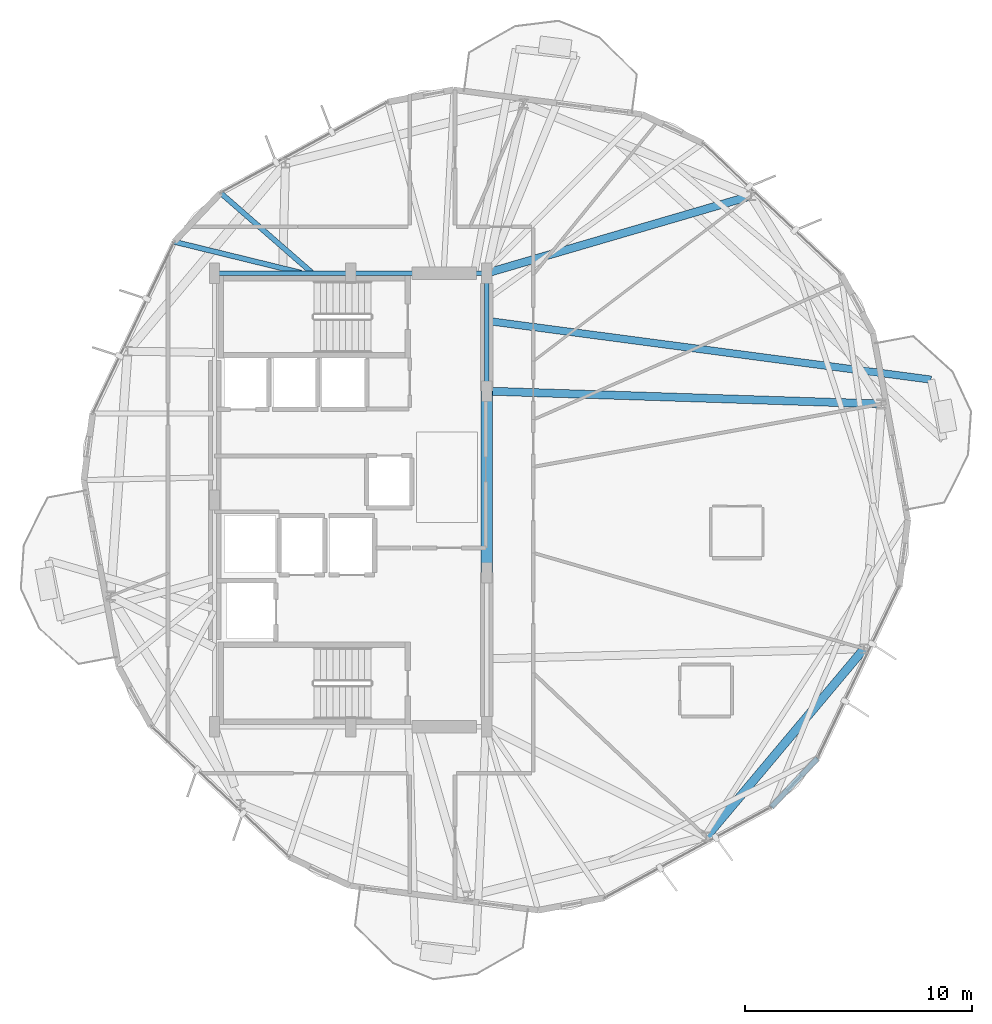
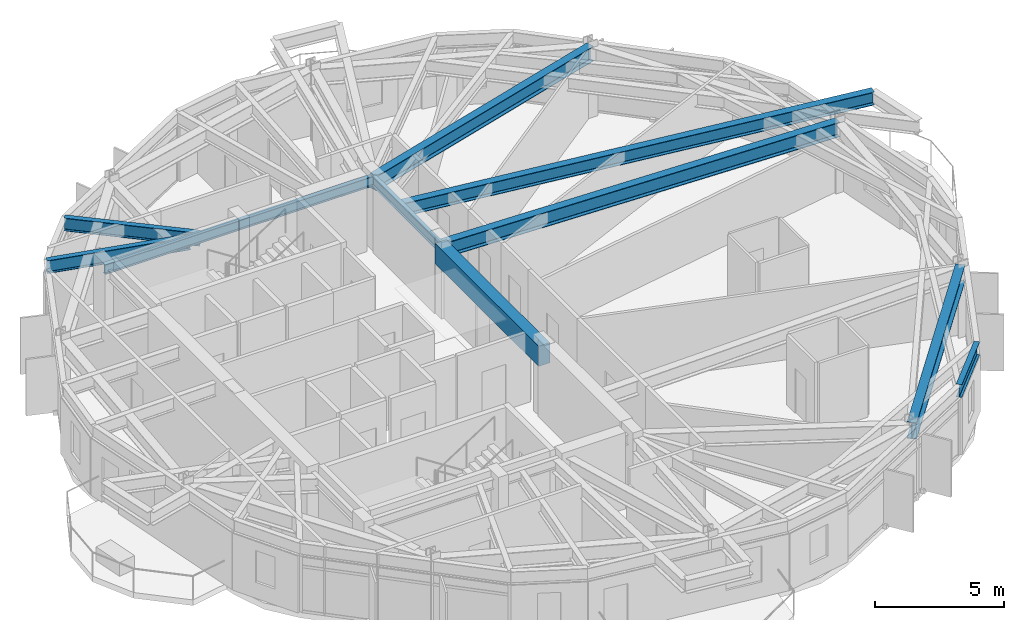
# One storey, part 9 of 23: 11 beams.
"""IFC4 building model written with IfcOpenShell, lengths in metres."""

from ifc_helpers import new_model, si_unit, direction, frame, origin, origin_2d, place, context, subcontext, project, spatial, rectangle, i_section, extrude, material, material_profile, profile_set, type_object, element, save


model = new_model("IFC4")

# Units and contexts
model_context = context("Model", 3, precision=1e-05, world=origin(), true_north=direction((0.0, 1.0)))
body_context = subcontext(model_context, "Body", "Model", "MODEL_VIEW")
ifc_project = project(units=[si_unit("LENGTHUNIT", "METRE"), si_unit("AREAUNIT", "SQUARE_METRE"), si_unit("VOLUMEUNIT", "CUBIC_METRE"), si_unit("PLANEANGLEUNIT", "RADIAN"), si_unit("MASSUNIT", "GRAM", prefix="KILO")], contexts=[model_context])

# Site, building, storey
site_placement = place(None, origin())
site = spatial("IfcSite", under=ifc_project, at=site_placement, CompositionType="ELEMENT")
building_placement = place(site_placement, origin())
building = spatial("IfcBuilding", under=site, at=building_placement, Name="Soratama Intermodal Tower", CompositionType="ELEMENT")
storey_placement = place(building_placement, frame((0.0, 0.0, 139.0)))
storey = spatial("IfcBuildingStorey", under=building, at=storey_placement, Name="L33", CompositionType="ELEMENT", Elevation=139.0)

# Beams
ifc_material_1 = material(Name="Structural steel ASTM A992 Grade 50", Category="steel")
ifc_material_profile_1 = material_profile(ifc_material_1, i_section(OverallWidth=0.324951171875, OverallDepth=0.615966796875, WebThickness=0.013916015625, FlangeThickness=0.021484375, FilletRadius=0.013916015625, at=origin_2d()), Name="W24X117")
ifc_profile_set_1 = profile_set([ifc_material_profile_1], Name="Structural steel ASTM A992 Grade 50")
beam_type_1 = type_object("IfcBeamType", Name="BM-CANT-W24X117", PredefinedType="BEAM", material=ifc_profile_set_1)
beam_1_placement = place(storey_placement, frame((44.639892578125, 32.889892578125, 2.991943359375), z_axis=(0.991352964845, -0.131222326964, 0.0), x_axis=(0.131222326964, 0.991352964845, 0.0)))
element("IfcBeam", 1, at=beam_1_placement, inside=storey, type_object=beam_type_1, Name="BM-L33-CANT-1-2", PredefinedType="BEAM", context=body_context, shape_type="SweptSolid", body=[
    extrude(i_section(OverallWidth=0.324951171875, OverallDepth=0.615966796875, WebThickness=0.013916015625, FlangeThickness=0.021484375, FilletRadius=0.013916015625, at=origin_2d()), origin(), (0.0, 0.0, 1.0), 19.70654296875),
])
ifc_material_2 = material(Name="Concrete f'c 56 MPa", Category="concrete")
ifc_material_profile_2 = material_profile(ifc_material_2, rectangle(XDim=0.5, YDim=0.949951171875, at=origin_2d()), Name="RC500X950")
ifc_profile_set_2 = profile_set([ifc_material_profile_2], Name="Concrete f'c 56 MPa")
beam_type_2 = type_object("IfcBeamType", Name="BM-CPL-RC500X950", PredefinedType="BEAM", material=ifc_profile_set_2)
beam_2_placement = place(storey_placement, frame((44.60009765625, 21.800048828125, 2.824951171875), z_axis=(0.0, 1.0, 0.0), x_axis=(-1.0, 0.0, 0.0)))
element("IfcBeam", 2, at=beam_2_placement, inside=storey, type_object=beam_type_2, Name="L33 Core Coupling Beam East", PredefinedType="BEAM", context=body_context, shape_type="SweptSolid", body=[
    extrude(rectangle(XDim=0.5, YDim=0.949951171875, at=origin_2d()), origin(), (0.0, 0.0, 1.0), 8.0),
])
ifc_material_3 = material(Name="Structural steel ASTM A992 Grade 50", Category="steel")
ifc_material_profile_3 = material_profile(ifc_material_3, i_section(OverallWidth=0.19091796875, OverallDepth=0.4599609375, WebThickness=0.010009765625, FlangeThickness=0.01611328125, FilletRadius=0.010986328125, at=origin_2d()), Name="W18X55")
ifc_profile_set_3 = profile_set([ifc_material_profile_3], Name="Structural steel ASTM A992 Grade 50")
beam_type_3 = type_object("IfcBeamType", Name="BM-FLR-W18X55", PredefinedType="BEAM", material=ifc_profile_set_3)
beam_3_placement = place(storey_placement, frame((44.60009765625, 29.800048828125, 3.070068359375), z_axis=(0.0, 1.0, 0.0), x_axis=(-1.0, 0.0, 0.0)))
element("IfcBeam", 3, at=beam_3_placement, inside=storey, type_object=beam_type_3, Name="BM-L33-CRING-05", PredefinedType="BEAM", context=body_context, shape_type="SweptSolid", body=[
    extrude(i_section(OverallWidth=0.19091796875, OverallDepth=0.4599609375, WebThickness=0.010009765625, FlangeThickness=0.01611328125, FilletRadius=0.010986328125, at=origin_2d()), origin(), (0.0, 0.0, 1.0), 5.199951171875),
])
for number, where, z_axis, x_axis, name in (
    (4, (44.60009765625, 35.0, 3.070068359375), (-1.0, 0.0, 0.0), (0.0, -1.0, 0.0), "BM-L33-CRING-06"),
    (5, (38.60009765625, 35.0, 3.070068359375), (-1.0, 0.0, 0.0), (0.0, -1.0, 0.0), "BM-L33-CRING-07"),
):
    element("IfcBeam", number, at=place(storey_placement, frame(where, z_axis=z_axis, x_axis=x_axis)), inside=storey, type_object=beam_type_3, Name=name, PredefinedType="BEAM", context=body_context, shape_type="SweptSolid", body=[
        extrude(i_section(OverallWidth=0.19091796875, OverallDepth=0.4599609375, WebThickness=0.010009765625, FlangeThickness=0.01611328125, FilletRadius=0.010986328125, at=origin_2d()), origin(), (0.0, 0.0, 1.0), 6.0),
    ])
ifc_material_4 = material(Name="Structural steel ASTM A992 Grade 50", Category="steel")
ifc_material_profile_4 = material_profile(ifc_material_4, i_section(OverallWidth=0.35498046875, OverallDepth=0.695068359375, WebThickness=0.015380859375, FlangeThickness=0.02490234375, FilletRadius=0.01611328125, at=origin_2d()), Name="W27X146")
ifc_profile_set_4 = profile_set([ifc_material_profile_4], Name="Structural steel ASTM A992 Grade 50")
beam_type_4 = type_object("IfcBeamType", Name="BM-RING-W27X146", PredefinedType="BEAM", material=ifc_profile_set_4)
beam_4_placement = place(storey_placement, frame((44.60009765625, 29.800048828125, 2.952392578125), z_axis=(0.999469833309, -0.032558444449, 0.0), x_axis=(0.032558444449, 0.999469833309, 0.0)))
element("IfcBeam", 6, at=beam_4_placement, inside=storey, type_object=beam_type_4, Name="BM-L33-RAD-01", PredefinedType="BEAM", context=body_context, shape_type="SweptSolid", body=[
    extrude(i_section(OverallWidth=0.35498046875, OverallDepth=0.695068359375, WebThickness=0.015380859375, FlangeThickness=0.02490234375, FilletRadius=0.01611328125, at=origin_2d()), origin(), (0.0, 0.0, 1.0), 17.38916015625),
])
beam_5_placement = place(storey_placement, frame((44.60009765625, 35.0, 2.952392578125), z_axis=(0.959813691047, 0.280637984738, 0.0), x_axis=(-0.280637984738, 0.959813691047, 0.0)))
element("IfcBeam", 7, at=beam_5_placement, inside=storey, type_object=beam_type_4, Name="BM-L33-RAD-02", PredefinedType="BEAM", context=body_context, shape_type="SweptSolid", body=[
    extrude(i_section(OverallWidth=0.35498046875, OverallDepth=0.695068359375, WebThickness=0.015380859375, FlangeThickness=0.02490234375, FilletRadius=0.01611328125, at=origin_2d()), origin(), (0.0, 0.0, 1.0), 12.13671875),
])
ifc_material_5 = material(Name="Structural steel ASTM A992 Grade 50", Category="steel")
ifc_material_profile_5 = material_profile(ifc_material_5, i_section(OverallWidth=0.382080078125, OverallDepth=0.779052734375, WebThickness=0.01806640625, FlangeThickness=0.030029296875, FilletRadius=0.01806640625, at=origin_2d()), Name="W30X191")
ifc_profile_set_5 = profile_set([ifc_material_profile_5], Name="Structural steel ASTM A992 Grade 50")
beam_type_5 = type_object("IfcBeamType", Name="BM-RING-W30X191", PredefinedType="BEAM", material=ifc_profile_set_5)
beam_6_placement = place(storey_placement, frame((54.27392578125, 10.158935546875, 2.910400390625), z_axis=(0.642791781199, 0.766040942785, 0.0), x_axis=(-0.766040942785, 0.642791781199, 0.0)))
element("IfcBeam", 8, at=beam_6_placement, inside=storey, type_object=beam_type_5, Name="BM-L33-RING-09", PredefinedType="BEAM", context=body_context, shape_type="SweptSolid", body=[
    extrude(i_section(OverallWidth=0.382080078125, OverallDepth=0.779052734375, WebThickness=0.01806640625, FlangeThickness=0.030029296875, FilletRadius=0.01806640625, at=origin_2d()), origin(), (0.0, 0.0, 1.0), 10.815673828125),
])
ifc_material_6 = material(Name="Structural steel ASTM A992 Grade 50", Category="steel")
ifc_material_profile_6 = material_profile(ifc_material_6, i_section(OverallWidth=0.22900390625, OverallDepth=0.612060546875, WebThickness=0.011962890625, FlangeThickness=0.01953125, FilletRadius=0.012939453125, at=origin_2d()), Name="W24X84")
ifc_profile_set_6 = profile_set([ifc_material_profile_6], Name="Structural steel ASTM A992 Grade 50")
beam_type_6 = type_object("IfcBeamType", Name="BM-SPN-W24X84", PredefinedType="SPANDREL", material=ifc_profile_set_6)
beam_7_placement = place(storey_placement, frame((57.135986328125, 11.465087890625, 2.993896484375), z_axis=(0.687498022612, 0.72618624946, 0.0), x_axis=(-0.72618624946, 0.687498022612, 0.0)))
element("IfcBeam", 9, at=beam_7_placement, inside=storey, type_object=beam_type_6, Name="BS-L33-CRN08", PredefinedType="SPANDREL", context=body_context, shape_type="SweptSolid", body=[
    extrude(i_section(OverallWidth=0.22900390625, OverallDepth=0.612060546875, WebThickness=0.011962890625, FlangeThickness=0.01953125, FilletRadius=0.012939453125, at=origin_2d()), origin(), (0.0, 0.0, 1.0), 2.9658203125),
])
ifc_material_7 = material(Name="Structural steel ASTM A992 Grade 50", Category="steel")
ifc_material_profile_7 = material_profile(ifc_material_7, i_section(OverallWidth=0.22900390625, OverallDepth=0.612060546875, WebThickness=0.011962890625, FlangeThickness=0.01953125, FilletRadius=0.012939453125, at=origin_2d()), Name="W24X84")
ifc_profile_set_7 = profile_set([ifc_material_profile_7], Name="Structural steel ASTM A992 Grade 50")
beam_type_7 = type_object("IfcBeamType", Name="BM-TIE-W24X84", PredefinedType="BEAM", material=ifc_profile_set_7)
beam_8_placement = place(storey_placement, frame((36.884033203125, 35.02587890625, 2.993896484375), z_axis=(-0.753364074284, 0.657603658428, 0.0), x_axis=(-0.657603658428, -0.753364074284, 0.0)))
element("IfcBeam", 10, at=beam_8_placement, inside=storey, type_object=beam_type_7, Name="BM-L33-TIE1-03", PredefinedType="BEAM", context=body_context, shape_type="SweptSolid", body=[
    extrude(i_section(OverallWidth=0.22900390625, OverallDepth=0.612060546875, WebThickness=0.011962890625, FlangeThickness=0.01953125, FilletRadius=0.012939453125, at=origin_2d()), origin(), (0.0, 0.0, 1.0), 5.336181640625),
])
beam_9_placement = place(storey_placement, frame((36.425048828125, 35.010009765625, 2.993896484375), z_axis=(-0.971311685559, 0.237810028167, 0.0), x_axis=(-0.237810028167, -0.971311685559, 0.0)))
element("IfcBeam", 11, at=beam_9_placement, inside=storey, type_object=beam_type_7, Name="BM-L33-TIE0-04", PredefinedType="BEAM", context=body_context, shape_type="SweptSolid", body=[
    extrude(i_section(OverallWidth=0.22900390625, OverallDepth=0.612060546875, WebThickness=0.011962890625, FlangeThickness=0.01953125, FilletRadius=0.012939453125, at=origin_2d()), origin(), (0.0, 0.0, 1.0), 5.765380859375),
])

save(model, "model.ifc")
